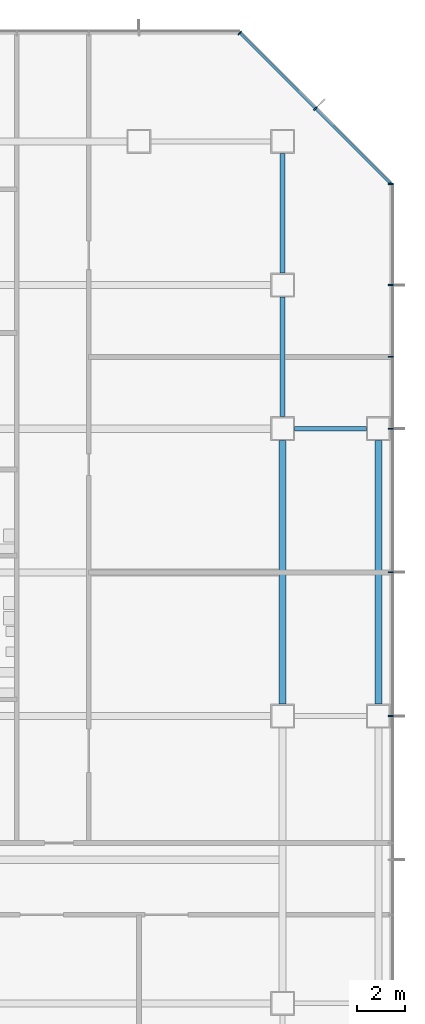
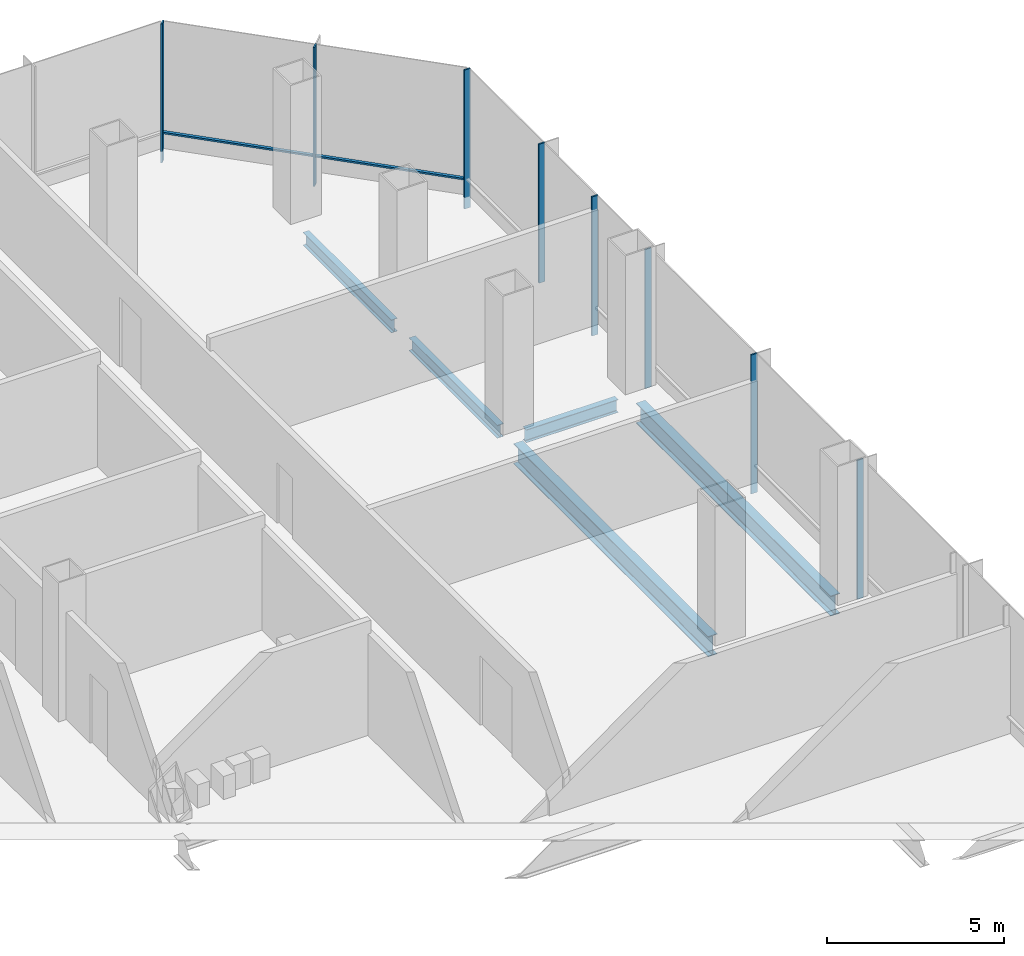
# One storey, part 19 of 33: 9 members, 5 beams, 2 elements without a shape of their own.
"""IFC4 building model written with IfcOpenShell, lengths in metres."""

from ifc_helpers import new_model, si_unit, direction, frame, origin, origin_2d, place, context, subcontext, project, spatial, rectangle, i_section, extrude, material, material_profile, profile_set, type_object, element, aggregate, save


model = new_model("IFC4")

# Units and contexts
model_context = context("Model", 3, precision=1e-05, world=origin(), true_north=direction((0.0, 1.0)))
body_context = subcontext(model_context, "Body", "Model", "MODEL_VIEW")
ifc_project = project(units=[si_unit("LENGTHUNIT", "METRE"), si_unit("AREAUNIT", "SQUARE_METRE"), si_unit("VOLUMEUNIT", "CUBIC_METRE"), si_unit("PLANEANGLEUNIT", "RADIAN"), si_unit("MASSUNIT", "GRAM", prefix="KILO")], contexts=[model_context])

# Site, building, storey
site_placement = place(None, origin())
site = spatial("IfcSite", under=ifc_project, at=site_placement, CompositionType="ELEMENT")
building_placement = place(site_placement, origin())
building = spatial("IfcBuilding", under=site, at=building_placement, Name="Sorahane Residences", CompositionType="ELEMENT")
storey_placement = place(building_placement, frame((0.0, 0.0, 25.199951171875)))
storey = spatial("IfcBuildingStorey", under=building, at=storey_placement, Name="L03", CompositionType="ELEMENT", Elevation=25.199951171875)

# Curtain wall, members
ifc_material_1 = material(Name="Dark low-e glass and black anodised aluminium", Category="aluminium")
curtain_wall_type = type_object("IfcCurtainWallType", Name="Curtain wall CW-3 Podium unitised wall", PredefinedType="NOTDEFINED", material=ifc_material_1)
curtain_wall_1_placement = place(storey_placement, origin())
curtain_wall_1 = element("IfcCurtainWall", 1, at=curtain_wall_1_placement, inside=storey, type_object=curtain_wall_type, Name="CW-3 curtain wall L03 E1", PredefinedType="NOTDEFINED")
ifc_material_2 = material(Name="Black anodised aluminium", Category="aluminium")
ifc_material_profile_1 = material_profile(ifc_material_2, rectangle(XDim=0.199951171875, YDim=0.050048828125, at=origin_2d()), Name="Curtain wall mullion CW-3 black anodised aluminium 50x200")
ifc_profile_set_1 = profile_set([ifc_material_profile_1], Name="Black anodised aluminium")
member_type_1 = type_object("IfcMemberType", Name="Curtain wall mullion CW-3 black anodised aluminium 50x200", PredefinedType="MULLION", material=ifc_profile_set_1)
member_1_placement = place(storey_placement, frame((70.52001953125, 24.0, -0.39990234375), z_axis=(0.0, 0.0, 1.0), x_axis=(1.0, 0.0, 0.0)))
member_1 = element("IfcMember", 2, at=member_1_placement, type_object=member_type_1, Name="CW-3 mullion L03 E1.7", PredefinedType="MULLION", context=body_context, shape_type="SweptSolid", body=[
    extrude(rectangle(XDim=0.199951171875, YDim=0.050048828125, at=origin_2d()), origin(), (0.0, 0.0, 1.0), 4.800048828125),
])
member_2_placement = place(storey_placement, frame((70.52001953125, 30.0, -0.39990234375), z_axis=(0.0, 0.0, 1.0), x_axis=(1.0, 0.0, 0.0)))
member_2 = element("IfcMember", 3, at=member_2_placement, type_object=member_type_1, Name="CW-3 mullion L03 E1.8", PredefinedType="MULLION", context=body_context, shape_type="SweptSolid", body=[
    extrude(rectangle(XDim=0.199951171875, YDim=0.050048828125, at=origin_2d()), origin(), (0.0, 0.0, 1.0), 4.800048828125),
])
member_3_placement = place(storey_placement, frame((70.52001953125, 36.0, -0.39990234375), z_axis=(0.0, 0.0, 1.0), x_axis=(1.0, 0.0, 0.0)))
member_3 = element("IfcMember", 4, at=member_3_placement, type_object=member_type_1, Name="CW-3 mullion L03 E1.9", PredefinedType="MULLION", context=body_context, shape_type="SweptSolid", body=[
    extrude(rectangle(XDim=0.199951171875, YDim=0.050048828125, at=origin_2d()), origin(), (0.0, 0.0, 1.0), 4.800048828125),
])
member_4_placement = place(storey_placement, frame((70.52001953125, 39.0, -0.39990234375), z_axis=(0.0, 0.0, 1.0), x_axis=(1.0, 0.0, 0.0)))
member_4 = element("IfcMember", 5, at=member_4_placement, type_object=member_type_1, Name="CW-3 mullion L03 E1.10", PredefinedType="MULLION", context=body_context, shape_type="SweptSolid", body=[
    extrude(rectangle(XDim=0.199951171875, YDim=0.050048828125, at=origin_2d()), origin(), (0.0, 0.0, 1.0), 4.800048828125),
])
member_5_placement = place(storey_placement, frame((70.52001953125, 42.0, -0.39990234375), z_axis=(0.0, 0.0, 1.0), x_axis=(1.0, 0.0, 0.0)))
member_5 = element("IfcMember", 6, at=member_5_placement, type_object=member_type_1, Name="CW-3 mullion L03 E1.11", PredefinedType="MULLION", context=body_context, shape_type="SweptSolid", body=[
    extrude(rectangle(XDim=0.199951171875, YDim=0.050048828125, at=origin_2d()), origin(), (0.0, 0.0, 1.0), 4.800048828125),
])
member_6_placement = place(storey_placement, frame((70.52001953125, 46.2236328125, -0.39990234375), z_axis=(0.0, 0.0, 1.0), x_axis=(1.0, 0.0, 0.0)))
member_6 = element("IfcMember", 7, at=member_6_placement, type_object=member_type_1, Name="CW-3 mullion L03 E1.12", PredefinedType="MULLION", context=body_context, shape_type="SweptSolid", body=[
    extrude(rectangle(XDim=0.199951171875, YDim=0.050048828125, at=origin_2d()), origin(), (0.0, 0.0, 1.0), 4.800048828125),
])
aggregate(curtain_wall_1, [member_1, member_2, member_3, member_4, member_5, member_6])

curtain_wall_2_placement = place(storey_placement, origin())
curtain_wall_2 = element("IfcCurtainWall", 8, at=curtain_wall_2_placement, inside=storey, type_object=curtain_wall_type, Name="CW-3 curtain wall L03 NE1", PredefinedType="NOTDEFINED")
member_7_placement = place(storey_placement, frame((67.36767578125, 49.36767578125, -0.39990234375), z_axis=(0.0, 0.0, 1.0), x_axis=(0.707106781187, 0.707106781187, 0.0)))
member_7 = element("IfcMember", 9, at=member_7_placement, type_object=member_type_1, Name="CW-3 mullion L03 NE1.2", PredefinedType="MULLION", context=body_context, shape_type="SweptSolid", body=[
    extrude(rectangle(XDim=0.199951171875, YDim=0.050048828125, at=origin_2d()), origin(), (0.0, 0.0, 1.0), 4.800048828125),
])
member_8_placement = place(storey_placement, frame((64.209716796875, 52.525634765625, -0.39990234375), z_axis=(0.0, 0.0, 1.0), x_axis=(0.707106781187, 0.707106781187, 0.0)))
member_8 = element("IfcMember", 10, at=member_8_placement, type_object=member_type_1, Name="CW-3 mullion L03 NE1.3", PredefinedType="MULLION", context=body_context, shape_type="SweptSolid", body=[
    extrude(rectangle(XDim=0.199951171875, YDim=0.050048828125, at=origin_2d()), origin(), (0.0, 0.0, 1.0), 4.800048828125),
])
ifc_material_3 = material(Name="Black anodised aluminium", Category="aluminium")
ifc_material_profile_2 = material_profile(ifc_material_3, rectangle(XDim=0.10009765625, YDim=0.06005859375, at=origin_2d()), Name="Curtain wall transom CW-3 black anodised aluminium 60x100")
ifc_profile_set_2 = profile_set([ifc_material_profile_2], Name="Black anodised aluminium")
member_type_2 = type_object("IfcMemberType", Name="Curtain wall transom CW-3 black anodised aluminium 60x100", PredefinedType="USERDEFINED", material=ifc_profile_set_2)
member_9_placement = place(storey_placement, frame((70.51513671875, 46.234375, 0.60009765625), z_axis=(-0.707106781187, 0.707106781187, 0.0), x_axis=(-0.707106781187, -0.707106781187, 0.0)))
member_9 = element("IfcMember", 11, at=member_9_placement, type_object=member_type_2, Name="CW-3 transom L03 NE1", ObjectType="TRANSOM", PredefinedType="USERDEFINED", context=body_context, shape_type="SweptSolid", body=[
    extrude(rectangle(XDim=0.10009765625, YDim=0.06005859375, at=origin_2d()), origin(), (0.0, 0.0, 1.0), 8.88232421875),
])
aggregate(curtain_wall_2, [member_7, member_8, member_9])

# Beams
ifc_material_4 = material(Name="Steel Q355B", Category="steel")
ifc_material_profile_3 = material_profile(ifc_material_4, i_section(OverallWidth=0.199951171875, OverallDepth=0.449951171875, WebThickness=0.009033203125, FlangeThickness=0.013916015625, FilletRadius=0.02001953125, at=origin_2d()), Name="HN 450x200x9x14")
ifc_profile_set_3 = profile_set([ifc_material_profile_3], Name="Steel Q355B")
beam_type_1 = type_object("IfcBeamType", Name="Steel floor beam HN 450x200x9x14 Q355B", PredefinedType="BEAM", material=ifc_profile_set_3)
beam_placement = place(storey_placement, frame((66.5, 36.0, -0.625), z_axis=(1.0, 0.0, 0.0), x_axis=(0.0, 1.0, 0.0)))
element("IfcBeam", 12, at=beam_placement, inside=storey, type_object=beam_type_1, Name="Beam L03 017", PredefinedType="BEAM", context=body_context, shape_type="SweptSolid", body=[
    extrude(i_section(OverallWidth=0.199951171875, OverallDepth=0.449951171875, WebThickness=0.009033203125, FlangeThickness=0.013916015625, FilletRadius=0.02001953125, at=origin_2d()), origin(), (0.0, 0.0, 1.0), 3.0),
])
for number, where, z_axis, x_axis, name in (
    (13, (66.0, 36.5, -0.625), (0.0, 1.0, 0.0), (-1.0, 0.0, 0.0), "Beam L03 074"),
    (14, (66.0, 42.5, -0.625), (0.0, 1.0, 0.0), (-1.0, 0.0, 0.0), "Beam L03 075"),
):
    element("IfcBeam", number, at=place(storey_placement, frame(where, z_axis=z_axis, x_axis=x_axis)), inside=storey, type_object=beam_type_1, Name=name, PredefinedType="BEAM", context=body_context, shape_type="SweptSolid", body=[
        extrude(i_section(OverallWidth=0.199951171875, OverallDepth=0.449951171875, WebThickness=0.009033203125, FlangeThickness=0.013916015625, FilletRadius=0.02001953125, at=origin_2d()), origin(), (0.0, 0.0, 1.0), 5.0),
    ])
ifc_material_5 = material(Name="Steel Q355B", Category="steel")
ifc_material_profile_4 = material_profile(ifc_material_5, i_section(OverallWidth=0.300048828125, OverallDepth=0.699951171875, WebThickness=0.012939453125, FlangeThickness=0.02392578125, FilletRadius=0.028076171875, at=origin_2d()), Name="HN 700x300x13x24")
ifc_profile_set_4 = profile_set([ifc_material_profile_4], Name="Steel Q355B")
beam_type_2 = type_object("IfcBeamType", Name="Steel floor beam HN 700x300x13x24 Q355B", PredefinedType="BEAM", material=ifc_profile_set_4)
for number, where, z_axis, x_axis, name in (
    (15, (66.0, 24.5, -0.75), (0.0, 1.0, 0.0), (-1.0, 0.0, 0.0), "Beam L03 073"),
    (16, (70.0, 24.5, -0.75), (0.0, 1.0, 0.0), (-1.0, 0.0, 0.0), "Beam L03 078"),
):
    element("IfcBeam", number, at=place(storey_placement, frame(where, z_axis=z_axis, x_axis=x_axis)), inside=storey, type_object=beam_type_2, Name=name, PredefinedType="BEAM", context=body_context, shape_type="SweptSolid", body=[
        extrude(i_section(OverallWidth=0.300048828125, OverallDepth=0.699951171875, WebThickness=0.012939453125, FlangeThickness=0.02392578125, FilletRadius=0.028076171875, at=origin_2d()), origin(), (0.0, 0.0, 1.0), 11.0),
    ])

save(model, "model.ifc")
